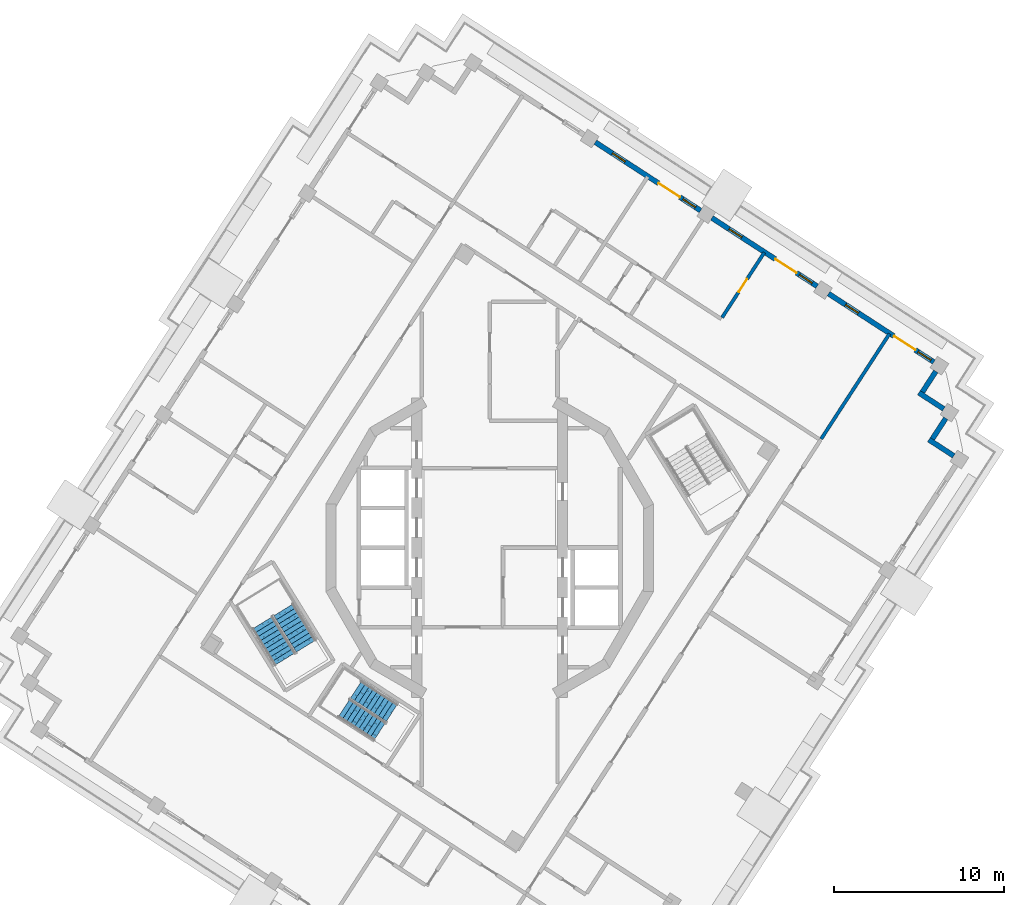
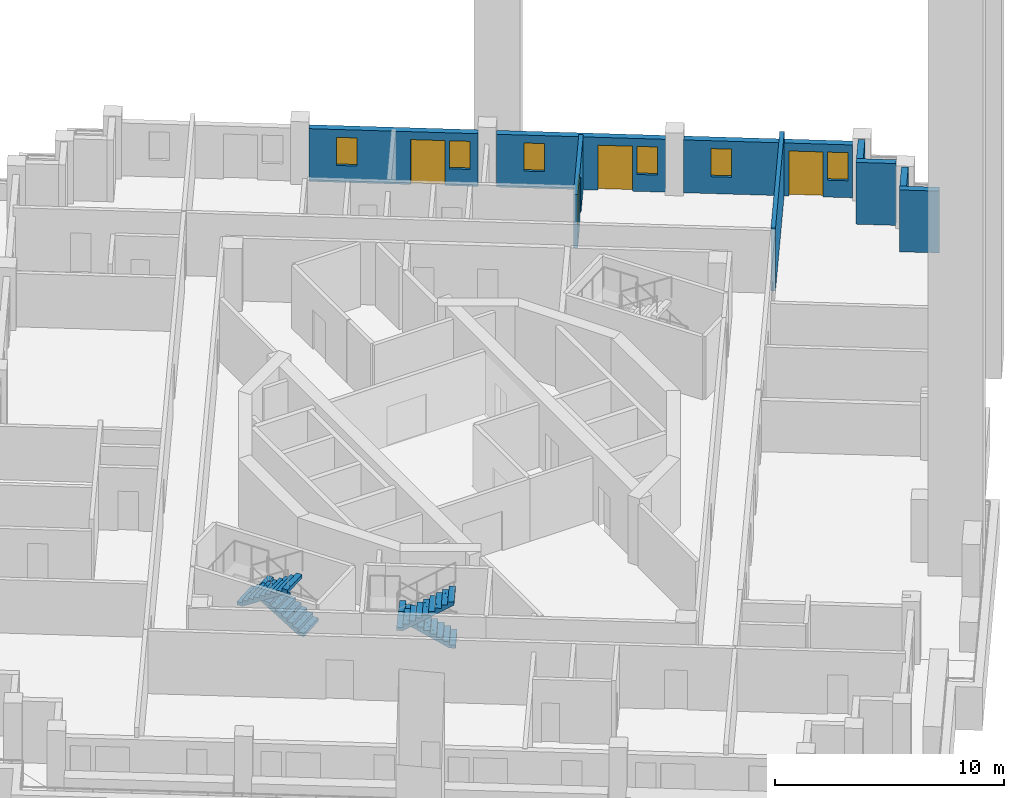
# One storey, part 8 of 15: 9 walls, 6 windows, 4 doors, 4 stair flights, 10 openings, 2 elements without a shape of their own.
"""IFC4 building model written with IfcOpenShell, lengths in metres."""

from ifc_helpers import new_model, si_unit, direction, frame, frame_2d, origin, place, context, subcontext, project, spatial, polyline, rectangle, outline, extrude, material, layer, layer_set, type_object, element, fill, aggregate, save


model = new_model("IFC4")

# Units and contexts
model_context = context("Model", 3, precision=1e-05, world=origin(), true_north=direction((0.0, 1.0)))
body_context = subcontext(model_context, "Body", "Model", "MODEL_VIEW")
ifc_project = project(units=[si_unit("LENGTHUNIT", "METRE"), si_unit("AREAUNIT", "SQUARE_METRE"), si_unit("VOLUMEUNIT", "CUBIC_METRE"), si_unit("PLANEANGLEUNIT", "RADIAN"), si_unit("MASSUNIT", "GRAM", prefix="KILO")], contexts=[model_context])

# Site, building, storey
site_placement = place(None, origin())
site = spatial("IfcSite", under=ifc_project, at=site_placement, CompositionType="ELEMENT")
building_placement = place(site_placement, origin())
building = spatial("IfcBuilding", under=site, at=building_placement, Name="Cantera Rosa Tower", CompositionType="ELEMENT")
storey_placement = place(building_placement, frame((0.0, 0.0, 250.5)))
storey = spatial("IfcBuildingStorey", under=building, at=storey_placement, Name="L55", CompositionType="ELEMENT", Elevation=250.5)

# Walls
ifc_material_1 = material(Name="Hollow clay masonry with cantera stone cladding", Category="masonry")
ifc_layer_1 = layer(ifc_material_1, 0.300048828125)
ifc_layer_set_1 = layer_set([ifc_layer_1], Name="EW-LOGGIA 300")
wall_type_1 = type_object("IfcWallType", Name="EW-LOGGIA 300", PredefinedType="SOLIDWALL", material=ifc_layer_set_1)
wall_1_placement = place(storey_placement, frame((27.36669921875, 5.41943359375, 0.0), z_axis=(0.0, 0.0, 1.0), x_axis=(-0.838685761837, 0.54461563776, 0.0)))
element("IfcWall", 1, at=wall_1_placement, inside=storey, type_object=wall_type_1, Name="EN-L55-W25a", PredefinedType="SOLIDWALL", context=body_context, shape_type="SweptSolid", body=[
    extrude(rectangle(XDim=1.75, YDim=0.300048828125, at=frame_2d((0.875, 0.0))), origin(), (0.0, 0.0, 1.0), 3.300048828125),
])
wall_2_placement = place(storey_placement, frame((26.1064453125, 6.41650390625, 0.0), z_axis=(0.0, 0.0, 1.0), x_axis=(0.54467465438, 0.838647435384, 0.0)))
element("IfcWall", 2, at=wall_2_placement, inside=storey, type_object=wall_type_1, Name="EN-L55-W25b", PredefinedType="SOLIDWALL", context=body_context, shape_type="SweptSolid", body=[
    extrude(rectangle(XDim=1.449951171875, YDim=0.300048828125, at=frame_2d((0.72509765625, 0.0))), origin(), (0.0, 0.0, 1.0), 3.300048828125),
])
wall_3_placement = place(storey_placement, frame((26.778564453125, 8.18603515625, 0.0), z_axis=(0.0, 0.0, 1.0), x_axis=(-0.838685761837, 0.54461563776, 0.0)))
element("IfcWall", 3, at=wall_3_placement, inside=storey, type_object=wall_type_1, Name="EN-L55-W26a", PredefinedType="SOLIDWALL", context=body_context, shape_type="SweptSolid", body=[
    extrude(rectangle(XDim=1.75, YDim=0.300048828125, at=frame_2d((0.875, 0.0))), origin(), (0.0, 0.0, 1.0), 3.300048828125),
])
wall_4_placement = place(storey_placement, frame((25.518310546875, 9.18310546875, 0.0), z_axis=(0.0, 0.0, 1.0), x_axis=(0.54467465438, 0.838647435384, 0.0)))
element("IfcWall", 4, at=wall_4_placement, inside=storey, type_object=wall_type_1, Name="EN-L55-W26b", PredefinedType="SOLIDWALL", context=body_context, shape_type="SweptSolid", body=[
    extrude(rectangle(XDim=1.449951171875, YDim=0.300048828125, at=frame_2d((0.72509765625, 0.0))), origin(), (0.0, 0.0, 1.0), 3.300048828125),
])

# Wall, openings, windows, door
ifc_material_2 = material(Name="Hollow clay masonry with cantera stone cladding", Category="masonry")
ifc_layer_2 = layer(ifc_material_2, 0.300048828125)
ifc_layer_set_2 = layer_set([ifc_layer_2], Name="EW-LOGGIA 300 H2820")
wall_type_2 = type_object("IfcWallType", Name="EW-LOGGIA 300 H2820", PredefinedType="SOLIDWALL", material=ifc_layer_set_2)
wall_5_placement = place(storey_placement, frame((26.1904296875, 10.95263671875, 0.0), z_axis=(0.0, 0.0, 1.0), x_axis=(-0.838669679097, 0.544640403719, 0.0)))
wall_5 = element("IfcWall", 5, at=wall_5_placement, inside=storey, type_object=wall_type_2, Name="EN-L55-W01", PredefinedType="SOLIDWALL", context=body_context, shape_type="SweptSolid", body=[
    extrude(rectangle(XDim=7.39990234375, YDim=0.300048828125, at=frame_2d((3.699951171875, 0.0))), origin(), (0.0, 0.0, 1.0), 2.820068359375),
])
opening_1_placement = place(wall_5_placement, frame((0.199951171875, 0.0, 0.89990234375)))
opening_1 = element("IfcOpeningElement", 6, at=opening_1_placement, cuts=wall_5, Name="Opening L55-W01", PredefinedType="OPENING", context=body_context, shape_type="SweptSolid", body=[
    extrude(rectangle(XDim=0.89990234375, YDim=1.5, at=frame_2d((0.449951171875, 0.75))), frame((0.0, 0.159912109375, 0.0), z_axis=(0.0, -1.0, 0.0), x_axis=(1.0, 0.0, 0.0)), (0.0, 0.0, 1.0), 0.320068359375),
])
opening_2_placement = place(wall_5_placement, frame((1.300048828125, 0.0, 0.0)))
opening_2 = element("IfcOpeningElement", 7, at=opening_2_placement, cuts=wall_5, Name="Opening L55-TD02", PredefinedType="OPENING", context=body_context, shape_type="SweptSolid", body=[
    extrude(rectangle(XDim=1.5, YDim=2.39990234375, at=frame_2d((0.75, 1.199951171875))), frame((0.0, 0.159912109375, 0.0), z_axis=(0.0, -1.0, 0.0), x_axis=(1.0, 0.0, 0.0)), (0.0, 0.0, 1.0), 0.320068359375),
])
opening_3_placement = place(wall_5_placement, frame((5.300048828125, 0.0, 0.89990234375)))
opening_3 = element("IfcOpeningElement", 8, at=opening_3_placement, cuts=wall_5, Name="Opening L55-W03", PredefinedType="OPENING", context=body_context, shape_type="SweptSolid", body=[
    extrude(rectangle(XDim=0.89990234375, YDim=1.5, at=frame_2d((0.449951171875, 0.75))), frame((0.0, 0.159912109375, 0.0), z_axis=(0.0, -1.0, 0.0), x_axis=(1.0, 0.0, 0.0)), (0.0, 0.0, 1.0), 0.320068359375),
])
ifc_material_3 = material(Name="Aluminium frame with clear glass", Category="aluminium")
window_type = type_object("IfcWindowType", Name="Residential window 900x1500", PartitioningType="SINGLE_PANEL", PredefinedType="WINDOW", material=ifc_material_3)
window_1_placement = place(opening_1_placement, origin())
window_1 = element("IfcWindow", 9, at=window_1_placement, inside=storey, type_object=window_type, Name="WINDOW L55-W01", OverallHeight=1.5, OverallWidth=0.89990234375, PartitioningType="SINGLE_PANEL", PredefinedType="WINDOW", context=body_context, shape_type="SweptSolid", body=[
    extrude(rectangle(XDim=0.89990234375, YDim=1.5, at=frame_2d((0.449951171875, 0.75))), frame((0.0, 0.030029296875, 0.0), z_axis=(0.0, -1.0, 0.0), x_axis=(1.0, 0.0, 0.0)), (0.0, 0.0, 1.0), 0.06005859375),
])
fill(opening_1, window_1)
window_2_placement = place(opening_3_placement, origin())
window_2 = element("IfcWindow", 10, at=window_2_placement, inside=storey, type_object=window_type, Name="WINDOW L55-W03", OverallHeight=1.5, OverallWidth=0.89990234375, PartitioningType="SINGLE_PANEL", PredefinedType="WINDOW", context=body_context, shape_type="SweptSolid", body=[
    extrude(rectangle(XDim=0.89990234375, YDim=1.5, at=frame_2d((0.449951171875, 0.75))), frame((0.0, 0.030029296875, 0.0), z_axis=(0.0, -1.0, 0.0), x_axis=(1.0, 0.0, 0.0)), (0.0, 0.0, 1.0), 0.06005859375),
])
fill(opening_3, window_2)
ifc_material_4 = material(Name="Aluminium frame with clear glass", Category="aluminium")
door_type_1 = type_object("IfcDoorType", Name="TD-R 1500x2400", OperationType="NOTDEFINED", PredefinedType="DOOR", material=ifc_material_4)
door_1_placement = place(opening_2_placement, origin())
door_1 = element("IfcDoor", 11, at=door_1_placement, inside=storey, type_object=door_type_1, Name="LOGGIA DOOR L55-TD02", OperationType="SLIDING_TO_LEFT", OverallHeight=2.39990234375, OverallWidth=1.5, PredefinedType="DOOR", context=body_context, shape_type="SweptSolid", body=[
    extrude(rectangle(XDim=1.5, YDim=2.39990234375, at=frame_2d((0.75, 1.199951171875))), frame((0.0, 0.02490234375, 0.0), z_axis=(0.0, -1.0, 0.0), x_axis=(1.0, 0.0, 0.0)), (0.0, 0.0, 1.0), 0.050048828125),
])
fill(opening_2, door_1)

wall_6_placement = place(storey_placement, frame((19.3134765625, 15.418701171875, 0.0), z_axis=(0.0, 0.0, 1.0), x_axis=(-0.838679465365, 0.544625333946, 0.0)))
wall_6 = element("IfcWall", 12, at=wall_6_placement, inside=storey, type_object=wall_type_2, Name="EN-L55-W02", PredefinedType="SOLIDWALL", context=body_context, shape_type="SweptSolid", body=[
    extrude(rectangle(XDim=7.400146484375, YDim=0.300048828125, at=frame_2d((3.7001953125, 0.0))), origin(), (0.0, 0.0, 1.0), 2.820068359375),
])
opening_4_placement = place(wall_6_placement, frame((0.35009765625, 0.0, 0.89990234375)))
opening_4 = element("IfcOpeningElement", 13, at=opening_4_placement, cuts=wall_6, Name="Opening L55-W04", PredefinedType="OPENING", context=body_context, shape_type="SweptSolid", body=[
    extrude(rectangle(XDim=0.89990234375, YDim=1.5, at=frame_2d((0.449951171875, 0.75))), frame((0.0, 0.159912109375, 0.0), z_axis=(0.0, -1.0, 0.0), x_axis=(1.0, 0.0, 0.0)), (0.0, 0.0, 1.0), 0.320068359375),
])
opening_5_placement = place(wall_6_placement, frame((1.449951171875, 0.0, 0.0)))
opening_5 = element("IfcOpeningElement", 14, at=opening_5_placement, cuts=wall_6, Name="Opening L55-TD05", PredefinedType="OPENING", context=body_context, shape_type="SweptSolid", body=[
    extrude(rectangle(XDim=1.5, YDim=2.39990234375, at=frame_2d((0.75, 1.199951171875))), frame((0.0, 0.159912109375, 0.0), z_axis=(0.0, -1.0, 0.0), x_axis=(1.0, 0.0, 0.0)), (0.0, 0.0, 1.0), 0.320068359375),
])
opening_6_placement = place(wall_6_placement, frame((5.300048828125, 0.0, 0.89990234375)))
opening_6 = element("IfcOpeningElement", 15, at=opening_6_placement, cuts=wall_6, Name="Opening L55-W06", PredefinedType="OPENING", context=body_context, shape_type="SweptSolid", body=[
    extrude(rectangle(XDim=0.89990234375, YDim=1.5, at=frame_2d((0.449951171875, 0.75))), frame((0.0, 0.159912109375, 0.0), z_axis=(0.0, -1.0, 0.0), x_axis=(1.0, 0.0, 0.0)), (0.0, 0.0, 1.0), 0.320068359375),
])
window_3_placement = place(opening_4_placement, origin())
window_3 = element("IfcWindow", 16, at=window_3_placement, inside=storey, type_object=window_type, Name="WINDOW L55-W04", OverallHeight=1.5, OverallWidth=0.89990234375, PartitioningType="SINGLE_PANEL", PredefinedType="WINDOW", context=body_context, shape_type="SweptSolid", body=[
    extrude(rectangle(XDim=0.89990234375, YDim=1.5, at=frame_2d((0.449951171875, 0.75))), frame((0.0, 0.030029296875, 0.0), z_axis=(0.0, -1.0, 0.0), x_axis=(1.0, 0.0, 0.0)), (0.0, 0.0, 1.0), 0.06005859375),
])
fill(opening_4, window_3)
window_4_placement = place(opening_6_placement, origin())
window_4 = element("IfcWindow", 17, at=window_4_placement, inside=storey, type_object=window_type, Name="WINDOW L55-W06", OverallHeight=1.5, OverallWidth=0.89990234375, PartitioningType="SINGLE_PANEL", PredefinedType="WINDOW", context=body_context, shape_type="SweptSolid", body=[
    extrude(rectangle(XDim=0.89990234375, YDim=1.5, at=frame_2d((0.449951171875, 0.75))), frame((0.0, 0.030029296875, 0.0), z_axis=(0.0, -1.0, 0.0), x_axis=(1.0, 0.0, 0.0)), (0.0, 0.0, 1.0), 0.06005859375),
])
fill(opening_6, window_4)
door_2_placement = place(opening_5_placement, origin())
door_2 = element("IfcDoor", 18, at=door_2_placement, inside=storey, type_object=door_type_1, Name="LOGGIA DOOR L55-TD05", OperationType="SLIDING_TO_LEFT", OverallHeight=2.39990234375, OverallWidth=1.5, PredefinedType="DOOR", context=body_context, shape_type="SweptSolid", body=[
    extrude(rectangle(XDim=1.5, YDim=2.39990234375, at=frame_2d((0.75, 1.199951171875))), frame((0.0, 0.02490234375, 0.0), z_axis=(0.0, -1.0, 0.0), x_axis=(1.0, 0.0, 0.0)), (0.0, 0.0, 1.0), 0.050048828125),
])
fill(opening_5, door_2)

wall_7_placement = place(storey_placement, frame((12.436279296875, 19.884765625, 0.0), z_axis=(0.0, 0.0, 1.0), x_axis=(-0.838669679097, 0.544640403719, 0.0)))
wall_7 = element("IfcWall", 19, at=wall_7_placement, inside=storey, type_object=wall_type_2, Name="EN-L55-W03", PredefinedType="SOLIDWALL", context=body_context, shape_type="SweptSolid", body=[
    extrude(rectangle(XDim=7.39990234375, YDim=0.300048828125, at=frame_2d((3.699951171875, 0.0))), origin(), (0.0, 0.0, 1.0), 2.820068359375),
])
opening_7_placement = place(wall_7_placement, frame((0.35009765625, 0.0, 0.89990234375)))
opening_7 = element("IfcOpeningElement", 20, at=opening_7_placement, cuts=wall_7, Name="Opening L55-W07", PredefinedType="OPENING", context=body_context, shape_type="SweptSolid", body=[
    extrude(rectangle(XDim=0.89990234375, YDim=1.5, at=frame_2d((0.449951171875, 0.75))), frame((0.0, 0.159912109375, 0.0), z_axis=(0.0, -1.0, 0.0), x_axis=(1.0, 0.0, 0.0)), (0.0, 0.0, 1.0), 0.320068359375),
])
opening_8_placement = place(wall_7_placement, frame((1.449951171875, 0.0, 0.0)))
opening_8 = element("IfcOpeningElement", 21, at=opening_8_placement, cuts=wall_7, Name="Opening L55-TD08", PredefinedType="OPENING", context=body_context, shape_type="SweptSolid", body=[
    extrude(rectangle(XDim=1.5, YDim=2.39990234375, at=frame_2d((0.75, 1.199951171875))), frame((0.0, 0.159912109375, 0.0), z_axis=(0.0, -1.0, 0.0), x_axis=(1.0, 0.0, 0.0)), (0.0, 0.0, 1.0), 0.320068359375),
])
opening_9_placement = place(wall_7_placement, frame((5.300048828125, 0.0, 0.89990234375)))
opening_9 = element("IfcOpeningElement", 22, at=opening_9_placement, cuts=wall_7, Name="Opening L55-W09", PredefinedType="OPENING", context=body_context, shape_type="SweptSolid", body=[
    extrude(rectangle(XDim=0.89990234375, YDim=1.5, at=frame_2d((0.449951171875, 0.75))), frame((0.0, 0.159912109375, 0.0), z_axis=(0.0, -1.0, 0.0), x_axis=(1.0, 0.0, 0.0)), (0.0, 0.0, 1.0), 0.320068359375),
])
window_5_placement = place(opening_7_placement, origin())
window_5 = element("IfcWindow", 23, at=window_5_placement, inside=storey, type_object=window_type, Name="WINDOW L55-W07", OverallHeight=1.5, OverallWidth=0.89990234375, PartitioningType="SINGLE_PANEL", PredefinedType="WINDOW", context=body_context, shape_type="SweptSolid", body=[
    extrude(rectangle(XDim=0.89990234375, YDim=1.5, at=frame_2d((0.449951171875, 0.75))), frame((0.0, 0.030029296875, 0.0), z_axis=(0.0, -1.0, 0.0), x_axis=(1.0, 0.0, 0.0)), (0.0, 0.0, 1.0), 0.06005859375),
])
fill(opening_7, window_5)
window_6_placement = place(opening_9_placement, origin())
window_6 = element("IfcWindow", 24, at=window_6_placement, inside=storey, type_object=window_type, Name="WINDOW L55-W09", OverallHeight=1.5, OverallWidth=0.89990234375, PartitioningType="SINGLE_PANEL", PredefinedType="WINDOW", context=body_context, shape_type="SweptSolid", body=[
    extrude(rectangle(XDim=0.89990234375, YDim=1.5, at=frame_2d((0.449951171875, 0.75))), frame((0.0, 0.030029296875, 0.0), z_axis=(0.0, -1.0, 0.0), x_axis=(1.0, 0.0, 0.0)), (0.0, 0.0, 1.0), 0.06005859375),
])
fill(opening_9, window_6)
door_3_placement = place(opening_8_placement, origin())
door_3 = element("IfcDoor", 25, at=door_3_placement, inside=storey, type_object=door_type_1, Name="LOGGIA DOOR L55-TD08", OperationType="SLIDING_TO_LEFT", OverallHeight=2.39990234375, OverallWidth=1.5, PredefinedType="DOOR", context=body_context, shape_type="SweptSolid", body=[
    extrude(rectangle(XDim=1.5, YDim=2.39990234375, at=frame_2d((0.75, 1.199951171875))), frame((0.0, 0.02490234375, 0.0), z_axis=(0.0, -1.0, 0.0), x_axis=(1.0, 0.0, 0.0)), (0.0, 0.0, 1.0), 0.050048828125),
])
fill(opening_8, door_3)

# Wall, opening, door
ifc_material_5 = material(Name="Gypsum board partition")
ifc_layer_3 = layer(ifc_material_5, 0.199951171875)
ifc_layer_set_3 = layer_set([ifc_layer_3], Name="PARTITION 200 H2850")
wall_type_3 = type_object("IfcWallType", Name="PARTITION 200 H2850", PredefinedType="PARTITIONING", material=ifc_layer_set_3)
wall_8_placement = place(storey_placement, frame((16.194091796875, 17.40869140625, 0.0), z_axis=(0.0, 0.0, 1.0), x_axis=(-0.544637163551, -0.838671783285, 0.0)))
wall_8 = element("IfcWall", 26, at=wall_8_placement, inside=storey, type_object=wall_type_3, Name="PARTITION L55-094", PredefinedType="PARTITIONING", context=body_context, shape_type="SweptSolid", body=[
    extrude(rectangle(XDim=4.570068359375, YDim=0.199951171875, at=frame_2d((2.28515625, 0.0))), origin(), (0.0, 0.0, 1.0), 2.85009765625),
])
opening_10_placement = place(wall_8_placement, frame((1.8701171875, 0.0, 0.0)))
opening_10 = element("IfcOpeningElement", 27, at=opening_10_placement, cuts=wall_8, Name="Opening L55-023", PredefinedType="OPENING", context=body_context, shape_type="SweptSolid", body=[
    extrude(rectangle(XDim=0.89990234375, YDim=2.10009765625, at=frame_2d((0.449951171875, 1.050048828125))), frame((0.0, 0.10986328125, 0.0), z_axis=(0.0, -1.0, 0.0), x_axis=(1.0, 0.0, 0.0)), (0.0, 0.0, 1.0), 0.219970703125),
])
ifc_material_6 = material(Name="Timber door leaf", Category="wood")
door_type_2 = type_object("IfcDoorType", Name="ROOM DOOR 900x2100", OperationType="NOTDEFINED", PredefinedType="DOOR", material=ifc_material_6)
door_4_placement = place(opening_10_placement, origin())
door_4 = element("IfcDoor", 28, at=door_4_placement, inside=storey, type_object=door_type_2, Name="DOOR L55-023", OperationType="NOTDEFINED", OverallHeight=2.10009765625, OverallWidth=0.89990234375, PredefinedType="DOOR", context=body_context, shape_type="SweptSolid", body=[
    extrude(rectangle(XDim=0.89990234375, YDim=2.10009765625, at=frame_2d((0.449951171875, 1.050048828125))), frame((0.0, 0.02490234375, 0.0), z_axis=(0.0, -1.0, 0.0), x_axis=(1.0, 0.0, 0.0)), (0.0, 0.0, 1.0), 0.050048828125),
])
fill(opening_10, door_4)

# Wall
ifc_material_7 = material(Name="Gypsum board partition")
ifc_layer_4 = layer(ifc_material_7, 0.199951171875)
ifc_layer_set_4 = layer_set([ifc_layer_4], Name="PARTY WALL 200 H3350")
wall_type_4 = type_object("IfcWallType", Name="PARTY WALL 200 H3350", PredefinedType="PARTITIONING", material=ifc_layer_set_4)
wall_9_placement = place(storey_placement, frame((23.57421875, 12.61572265625, 0.0), z_axis=(0.0, 0.0, 1.0), x_axis=(-0.544642261206, -0.838668472824, 0.0)))
element("IfcWall", 29, at=wall_9_placement, inside=storey, type_object=wall_type_4, Name="PARTY WALL L55-099", PredefinedType="PARTITIONING", context=body_context, shape_type="SweptSolid", body=[
    extrude(rectangle(XDim=7.389892578125, YDim=0.199951171875, at=frame_2d((3.69482421875, 0.0))), origin(), (0.0, 0.0, 1.0), 3.35009765625),
])

# Stair, stair flights
ifc_material_8 = material(Name="Concrete C35/45", Category="concrete")
stair_type_1 = type_object("IfcStairType", Name="EXIT STAIR 1200 DOGLEG", PredefinedType="HALF_TURN_STAIR", material=ifc_material_8)
stair_1_placement = place(storey_placement, origin())
stair_1 = element("IfcStair", 30, at=stair_1_placement, inside=storey, type_object=stair_type_1, Name="L55 ST-53", PredefinedType="HALF_TURN_STAIR")
ifc_material_9 = material(Name="Concrete C35/45", Category="concrete")
stair_flight_type_1 = type_object("IfcStairFlightType", Name="STAIR FLIGHT 1200 R20x180", PredefinedType="STRAIGHT", material=ifc_material_9)
stair_flight_1_placement = place(storey_placement, frame((-5.76318359375, -9.728271484375, 0.0), z_axis=(0.0, 0.0, 1.0), x_axis=(-0.838670567945, 0.544639035015, 0.0)))
stair_flight_1 = element("IfcStairFlight", 31, at=stair_flight_1_placement, type_object=stair_flight_type_1, Name="ST-53 flight 1", NumberOfRisers=10, NumberOfTreads=9, PredefinedType="STRAIGHT", RiserHeight=0.18, TreadLength=0.28, context=body_context, shape_type="SweptSolid", body=[
    extrude(outline(polyline([(0.0, 0.0), (0.0, 0.179931640625), (0.280029296875, 0.179931640625), (0.280029296875, 0.360107421875), (0.56005859375, 0.360107421875), (0.56005859375, 0.5400390625), (0.840087890625, 0.5400390625), (0.840087890625, 0.719970703125), (1.1201171875, 0.719970703125), (1.1201171875, 0.89990234375), (1.39990234375, 0.89990234375), (1.39990234375, 1.080078125), (1.679931640625, 1.080078125), (1.679931640625, 1.260009765625), (1.9599609375, 1.260009765625), (1.9599609375, 1.43994140625), (2.239990234375, 1.43994140625), (2.239990234375, 1.6201171875), (2.52001953125, 1.6201171875), (2.52001953125, 1.800048828125), (2.52001953125, 1.44189453125), (0.277099609375, 0.0), (0.0, 0.0)])), frame((0.0, 0.60009765625, 0.0), z_axis=(0.0, -1.0, 0.0), x_axis=(1.0, 0.0, 0.0)), (0.0, 0.0, 1.0), 0.298583984375),
    extrude(outline(polyline([(0.0, 0.0), (0.0, 0.179931640625), (0.280029296875, 0.179931640625), (0.280029296875, 0.360107421875), (0.56005859375, 0.360107421875), (0.56005859375, 0.5400390625), (0.840087890625, 0.5400390625), (0.840087890625, 0.719970703125), (1.1201171875, 0.719970703125), (1.1201171875, 0.89990234375), (1.39990234375, 0.89990234375), (1.39990234375, 1.080078125), (1.679931640625, 1.080078125), (1.679931640625, 1.260009765625), (1.9599609375, 1.260009765625), (1.9599609375, 1.43994140625), (2.239990234375, 1.43994140625), (2.239990234375, 1.6201171875), (2.52001953125, 1.6201171875), (2.52001953125, 1.800048828125), (2.52001953125, 1.44189453125), (0.277099609375, 0.0), (0.0, 0.0)])), frame((0.0, 0.29931640625, 0.0), z_axis=(0.0, -1.0, 0.0), x_axis=(1.0, 0.0, 0.0)), (0.0, 0.0, 1.0), 0.298583984375),
    extrude(outline(polyline([(0.0, 0.0), (0.0, 0.179931640625), (0.280029296875, 0.179931640625), (0.280029296875, 0.360107421875), (0.56005859375, 0.360107421875), (0.56005859375, 0.5400390625), (0.840087890625, 0.5400390625), (0.840087890625, 0.719970703125), (1.1201171875, 0.719970703125), (1.1201171875, 0.89990234375), (1.39990234375, 0.89990234375), (1.39990234375, 1.080078125), (1.679931640625, 1.080078125), (1.679931640625, 1.260009765625), (1.9599609375, 1.260009765625), (1.9599609375, 1.43994140625), (2.239990234375, 1.43994140625), (2.239990234375, 1.6201171875), (2.52001953125, 1.6201171875), (2.52001953125, 1.800048828125), (2.52001953125, 1.44189453125), (0.277099609375, 0.0), (0.0, 0.0)])), frame((0.0, -0.0009765625, 0.0), z_axis=(0.0, -1.0, 0.0), x_axis=(1.0, 0.0, 0.0)), (0.0, 0.0, 1.0), 0.298583984375),
    extrude(outline(polyline([(0.0, 0.0), (0.0, 0.179931640625), (0.280029296875, 0.179931640625), (0.280029296875, 0.360107421875), (0.56005859375, 0.360107421875), (0.56005859375, 0.5400390625), (0.840087890625, 0.5400390625), (0.840087890625, 0.719970703125), (1.1201171875, 0.719970703125), (1.1201171875, 0.89990234375), (1.39990234375, 0.89990234375), (1.39990234375, 1.080078125), (1.679931640625, 1.080078125), (1.679931640625, 1.260009765625), (1.9599609375, 1.260009765625), (1.9599609375, 1.43994140625), (2.239990234375, 1.43994140625), (2.239990234375, 1.6201171875), (2.52001953125, 1.6201171875), (2.52001953125, 1.800048828125), (2.52001953125, 1.44189453125), (0.277099609375, 0.0), (0.0, 0.0)])), frame((0.0, -0.3017578125, 0.0), z_axis=(0.0, -1.0, 0.0), x_axis=(1.0, 0.0, 0.0)), (0.0, 0.0, 1.0), 0.298583984375),
])
stair_flight_2_placement = place(storey_placement, frame((-8.61181640625, -9.488037109375, 1.800048828125), z_axis=(0.0, 0.0, 1.0), x_axis=(0.838670567945, -0.544639035015, 0.0)))
stair_flight_2 = element("IfcStairFlight", 32, at=stair_flight_2_placement, type_object=stair_flight_type_1, Name="ST-53 flight 2", NumberOfRisers=10, NumberOfTreads=9, PredefinedType="STRAIGHT", RiserHeight=0.18, TreadLength=0.28, context=body_context, shape_type="SweptSolid", body=[
    extrude(outline(polyline([(0.0, 0.0), (0.0, 0.179931640625), (0.280029296875, 0.179931640625), (0.280029296875, 0.360107421875), (0.56005859375, 0.360107421875), (0.56005859375, 0.5400390625), (0.840087890625, 0.5400390625), (0.840087890625, 0.719970703125), (1.1201171875, 0.719970703125), (1.1201171875, 0.89990234375), (1.39990234375, 0.89990234375), (1.39990234375, 1.080078125), (1.679931640625, 1.080078125), (1.679931640625, 1.260009765625), (1.9599609375, 1.260009765625), (1.9599609375, 1.43994140625), (2.239990234375, 1.43994140625), (2.239990234375, 1.6201171875), (2.52001953125, 1.6201171875), (2.52001953125, 1.800048828125), (2.52001953125, 1.44189453125), (0.277099609375, 0.0), (0.0, 0.0)])), frame((0.0, 0.60009765625, 0.0), z_axis=(0.0, -1.0, 0.0), x_axis=(1.0, 0.0, 0.0)), (0.0, 0.0, 1.0), 0.298583984375),
    extrude(outline(polyline([(0.0, 0.0), (0.0, 0.179931640625), (0.280029296875, 0.179931640625), (0.280029296875, 0.360107421875), (0.56005859375, 0.360107421875), (0.56005859375, 0.5400390625), (0.840087890625, 0.5400390625), (0.840087890625, 0.719970703125), (1.1201171875, 0.719970703125), (1.1201171875, 0.89990234375), (1.39990234375, 0.89990234375), (1.39990234375, 1.080078125), (1.679931640625, 1.080078125), (1.679931640625, 1.260009765625), (1.9599609375, 1.260009765625), (1.9599609375, 1.43994140625), (2.239990234375, 1.43994140625), (2.239990234375, 1.6201171875), (2.52001953125, 1.6201171875), (2.52001953125, 1.800048828125), (2.52001953125, 1.44189453125), (0.277099609375, 0.0), (0.0, 0.0)])), frame((0.0, 0.29931640625, 0.0), z_axis=(0.0, -1.0, 0.0), x_axis=(1.0, 0.0, 0.0)), (0.0, 0.0, 1.0), 0.298583984375),
    extrude(outline(polyline([(0.0, 0.0), (0.0, 0.179931640625), (0.280029296875, 0.179931640625), (0.280029296875, 0.360107421875), (0.56005859375, 0.360107421875), (0.56005859375, 0.5400390625), (0.840087890625, 0.5400390625), (0.840087890625, 0.719970703125), (1.1201171875, 0.719970703125), (1.1201171875, 0.89990234375), (1.39990234375, 0.89990234375), (1.39990234375, 1.080078125), (1.679931640625, 1.080078125), (1.679931640625, 1.260009765625), (1.9599609375, 1.260009765625), (1.9599609375, 1.43994140625), (2.239990234375, 1.43994140625), (2.239990234375, 1.6201171875), (2.52001953125, 1.6201171875), (2.52001953125, 1.800048828125), (2.52001953125, 1.44189453125), (0.277099609375, 0.0), (0.0, 0.0)])), frame((0.0, -0.0009765625, 0.0), z_axis=(0.0, -1.0, 0.0), x_axis=(1.0, 0.0, 0.0)), (0.0, 0.0, 1.0), 0.298583984375),
    extrude(outline(polyline([(0.0, 0.0), (0.0, 0.179931640625), (0.280029296875, 0.179931640625), (0.280029296875, 0.360107421875), (0.56005859375, 0.360107421875), (0.56005859375, 0.5400390625), (0.840087890625, 0.5400390625), (0.840087890625, 0.719970703125), (1.1201171875, 0.719970703125), (1.1201171875, 0.89990234375), (1.39990234375, 0.89990234375), (1.39990234375, 1.080078125), (1.679931640625, 1.080078125), (1.679931640625, 1.260009765625), (1.9599609375, 1.260009765625), (1.9599609375, 1.43994140625), (2.239990234375, 1.43994140625), (2.239990234375, 1.6201171875), (2.52001953125, 1.6201171875), (2.52001953125, 1.800048828125), (2.52001953125, 1.44189453125), (0.277099609375, 0.0), (0.0, 0.0)])), frame((0.0, -0.3017578125, 0.0), z_axis=(0.0, -1.0, 0.0), x_axis=(1.0, 0.0, 0.0)), (0.0, 0.0, 1.0), 0.298583984375),
])
aggregate(stair_1, [stair_flight_1, stair_flight_2])

ifc_material_10 = material(Name="Concrete C35/45", Category="concrete")
stair_type_2 = type_object("IfcStairType", Name="EXIT STAIR 1350 DOGLEG", PredefinedType="HALF_TURN_STAIR", material=ifc_material_10)
stair_2_placement = place(storey_placement, origin())
stair_2 = element("IfcStair", 33, at=stair_2_placement, inside=storey, type_object=stair_type_2, Name="L55 ST-52", PredefinedType="HALF_TURN_STAIR")
ifc_material_11 = material(Name="Concrete C35/45", Category="concrete")
stair_flight_type_2 = type_object("IfcStairFlightType", Name="STAIR FLIGHT 1350 R20x180", PredefinedType="STRAIGHT", material=ifc_material_11)
stair_flight_3_placement = place(storey_placement, frame((-10.82666015625, -5.7978515625, 0.0), z_axis=(0.0, 0.0, 1.0), x_axis=(-0.524976585286, 0.851116669383, 0.0)))
stair_flight_3 = element("IfcStairFlight", 34, at=stair_flight_3_placement, type_object=stair_flight_type_2, Name="ST-52 flight 1", NumberOfRisers=10, NumberOfTreads=9, PredefinedType="STRAIGHT", RiserHeight=0.18, TreadLength=0.28, context=body_context, shape_type="SweptSolid", body=[
    extrude(outline(polyline([(0.0, 0.0), (0.0, 0.179931640625), (0.280029296875, 0.179931640625), (0.280029296875, 0.360107421875), (0.56005859375, 0.360107421875), (0.56005859375, 0.5400390625), (0.840087890625, 0.5400390625), (0.840087890625, 0.719970703125), (1.1201171875, 0.719970703125), (1.1201171875, 0.89990234375), (1.39990234375, 0.89990234375), (1.39990234375, 1.080078125), (1.679931640625, 1.080078125), (1.679931640625, 1.260009765625), (1.9599609375, 1.260009765625), (1.9599609375, 1.43994140625), (2.239990234375, 1.43994140625), (2.239990234375, 1.6201171875), (2.52001953125, 1.6201171875), (2.52001953125, 1.800048828125), (2.52001953125, 1.44189453125), (0.277099609375, 0.0), (0.0, 0.0)])), frame((0.0, 0.675048828125, 0.0), z_axis=(0.0, -1.0, 0.0), x_axis=(1.0, 0.0, 0.0)), (0.0, 0.0, 1.0), 0.3359375),
    extrude(outline(polyline([(0.0, 0.0), (0.0, 0.179931640625), (0.280029296875, 0.179931640625), (0.280029296875, 0.360107421875), (0.56005859375, 0.360107421875), (0.56005859375, 0.5400390625), (0.840087890625, 0.5400390625), (0.840087890625, 0.719970703125), (1.1201171875, 0.719970703125), (1.1201171875, 0.89990234375), (1.39990234375, 0.89990234375), (1.39990234375, 1.080078125), (1.679931640625, 1.080078125), (1.679931640625, 1.260009765625), (1.9599609375, 1.260009765625), (1.9599609375, 1.43994140625), (2.239990234375, 1.43994140625), (2.239990234375, 1.6201171875), (2.52001953125, 1.6201171875), (2.52001953125, 1.800048828125), (2.52001953125, 1.44189453125), (0.277099609375, 0.0), (0.0, 0.0)])), frame((0.0, 0.337158203125, 0.0), z_axis=(0.0, -1.0, 0.0), x_axis=(1.0, 0.0, 0.0)), (0.0, 0.0, 1.0), 0.3359375),
    extrude(outline(polyline([(0.0, 0.0), (0.0, 0.179931640625), (0.280029296875, 0.179931640625), (0.280029296875, 0.360107421875), (0.56005859375, 0.360107421875), (0.56005859375, 0.5400390625), (0.840087890625, 0.5400390625), (0.840087890625, 0.719970703125), (1.1201171875, 0.719970703125), (1.1201171875, 0.89990234375), (1.39990234375, 0.89990234375), (1.39990234375, 1.080078125), (1.679931640625, 1.080078125), (1.679931640625, 1.260009765625), (1.9599609375, 1.260009765625), (1.9599609375, 1.43994140625), (2.239990234375, 1.43994140625), (2.239990234375, 1.6201171875), (2.52001953125, 1.6201171875), (2.52001953125, 1.800048828125), (2.52001953125, 1.44189453125), (0.277099609375, 0.0), (0.0, 0.0)])), frame((0.0, -0.000732421875, 0.0), z_axis=(0.0, -1.0, 0.0), x_axis=(1.0, 0.0, 0.0)), (0.0, 0.0, 1.0), 0.3359375),
    extrude(outline(polyline([(0.0, 0.0), (0.0, 0.179931640625), (0.280029296875, 0.179931640625), (0.280029296875, 0.360107421875), (0.56005859375, 0.360107421875), (0.56005859375, 0.5400390625), (0.840087890625, 0.5400390625), (0.840087890625, 0.719970703125), (1.1201171875, 0.719970703125), (1.1201171875, 0.89990234375), (1.39990234375, 0.89990234375), (1.39990234375, 1.080078125), (1.679931640625, 1.080078125), (1.679931640625, 1.260009765625), (1.9599609375, 1.260009765625), (1.9599609375, 1.43994140625), (2.239990234375, 1.43994140625), (2.239990234375, 1.6201171875), (2.52001953125, 1.6201171875), (2.52001953125, 1.800048828125), (2.52001953125, 1.44189453125), (0.277099609375, 0.0), (0.0, 0.0)])), frame((0.0, -0.338623046875, 0.0), z_axis=(0.0, -1.0, 0.0), x_axis=(1.0, 0.0, 0.0)), (0.0, 0.0, 1.0), 0.3359375),
])
stair_flight_4_placement = place(storey_placement, frame((-13.42626953125, -4.4404296875, 1.800048828125), z_axis=(0.0, 0.0, 1.0), x_axis=(0.524976585286, -0.851116669383, 0.0)))
stair_flight_4 = element("IfcStairFlight", 35, at=stair_flight_4_placement, type_object=stair_flight_type_2, Name="ST-52 flight 2", NumberOfRisers=10, NumberOfTreads=9, PredefinedType="STRAIGHT", RiserHeight=0.18, TreadLength=0.28, context=body_context, shape_type="SweptSolid", body=[
    extrude(outline(polyline([(0.0, 0.0), (0.0, 0.179931640625), (0.280029296875, 0.179931640625), (0.280029296875, 0.360107421875), (0.56005859375, 0.360107421875), (0.56005859375, 0.5400390625), (0.840087890625, 0.5400390625), (0.840087890625, 0.719970703125), (1.1201171875, 0.719970703125), (1.1201171875, 0.89990234375), (1.39990234375, 0.89990234375), (1.39990234375, 1.080078125), (1.679931640625, 1.080078125), (1.679931640625, 1.260009765625), (1.9599609375, 1.260009765625), (1.9599609375, 1.43994140625), (2.239990234375, 1.43994140625), (2.239990234375, 1.6201171875), (2.52001953125, 1.6201171875), (2.52001953125, 1.800048828125), (2.52001953125, 1.44189453125), (0.277099609375, 0.0), (0.0, 0.0)])), frame((0.0, 0.675048828125, 0.0), z_axis=(0.0, -1.0, 0.0), x_axis=(1.0, 0.0, 0.0)), (0.0, 0.0, 1.0), 0.3359375),
    extrude(outline(polyline([(0.0, 0.0), (0.0, 0.179931640625), (0.280029296875, 0.179931640625), (0.280029296875, 0.360107421875), (0.56005859375, 0.360107421875), (0.56005859375, 0.5400390625), (0.840087890625, 0.5400390625), (0.840087890625, 0.719970703125), (1.1201171875, 0.719970703125), (1.1201171875, 0.89990234375), (1.39990234375, 0.89990234375), (1.39990234375, 1.080078125), (1.679931640625, 1.080078125), (1.679931640625, 1.260009765625), (1.9599609375, 1.260009765625), (1.9599609375, 1.43994140625), (2.239990234375, 1.43994140625), (2.239990234375, 1.6201171875), (2.52001953125, 1.6201171875), (2.52001953125, 1.800048828125), (2.52001953125, 1.44189453125), (0.277099609375, 0.0), (0.0, 0.0)])), frame((0.0, 0.337158203125, 0.0), z_axis=(0.0, -1.0, 0.0), x_axis=(1.0, 0.0, 0.0)), (0.0, 0.0, 1.0), 0.3359375),
    extrude(outline(polyline([(0.0, 0.0), (0.0, 0.179931640625), (0.280029296875, 0.179931640625), (0.280029296875, 0.360107421875), (0.56005859375, 0.360107421875), (0.56005859375, 0.5400390625), (0.840087890625, 0.5400390625), (0.840087890625, 0.719970703125), (1.1201171875, 0.719970703125), (1.1201171875, 0.89990234375), (1.39990234375, 0.89990234375), (1.39990234375, 1.080078125), (1.679931640625, 1.080078125), (1.679931640625, 1.260009765625), (1.9599609375, 1.260009765625), (1.9599609375, 1.43994140625), (2.239990234375, 1.43994140625), (2.239990234375, 1.6201171875), (2.52001953125, 1.6201171875), (2.52001953125, 1.800048828125), (2.52001953125, 1.44189453125), (0.277099609375, 0.0), (0.0, 0.0)])), frame((0.0, -0.000732421875, 0.0), z_axis=(0.0, -1.0, 0.0), x_axis=(1.0, 0.0, 0.0)), (0.0, 0.0, 1.0), 0.3359375),
    extrude(outline(polyline([(0.0, 0.0), (0.0, 0.179931640625), (0.280029296875, 0.179931640625), (0.280029296875, 0.360107421875), (0.56005859375, 0.360107421875), (0.56005859375, 0.5400390625), (0.840087890625, 0.5400390625), (0.840087890625, 0.719970703125), (1.1201171875, 0.719970703125), (1.1201171875, 0.89990234375), (1.39990234375, 0.89990234375), (1.39990234375, 1.080078125), (1.679931640625, 1.080078125), (1.679931640625, 1.260009765625), (1.9599609375, 1.260009765625), (1.9599609375, 1.43994140625), (2.239990234375, 1.43994140625), (2.239990234375, 1.6201171875), (2.52001953125, 1.6201171875), (2.52001953125, 1.800048828125), (2.52001953125, 1.44189453125), (0.277099609375, 0.0), (0.0, 0.0)])), frame((0.0, -0.338623046875, 0.0), z_axis=(0.0, -1.0, 0.0), x_axis=(1.0, 0.0, 0.0)), (0.0, 0.0, 1.0), 0.3359375),
])
aggregate(stair_2, [stair_flight_3, stair_flight_4])

save(model, "model.ifc")
